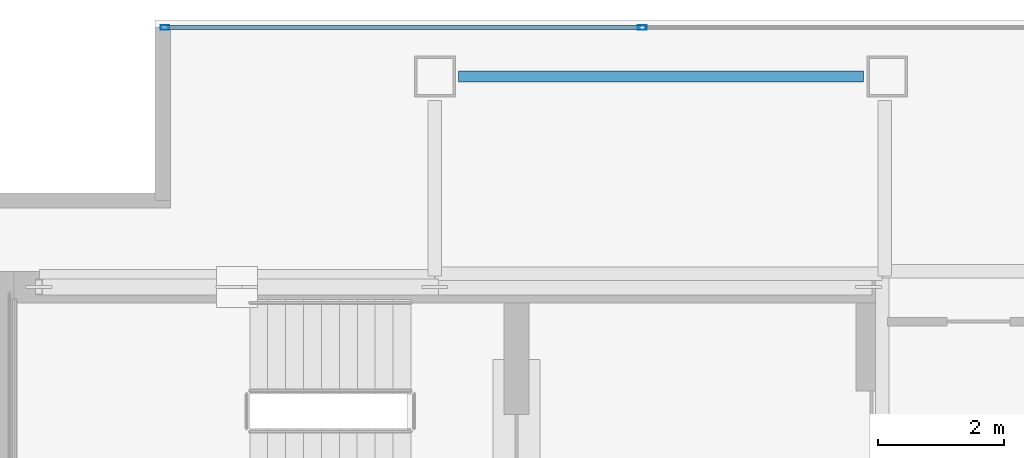
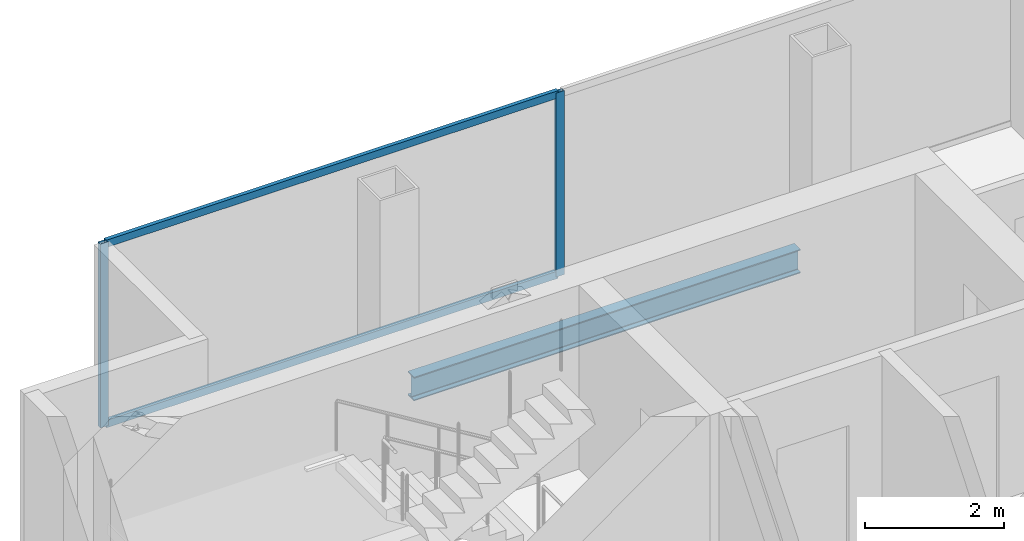
# One storey, part 18 of 24: 4 members, 1 beam, 1 element without a shape of its own.
"""IFC4 building model written with IfcOpenShell, lengths in metres."""

from ifc_helpers import new_model, si_unit, direction, frame, origin, origin_2d, place, context, subcontext, project, spatial, hollow_rectangle, i_section, extrude, material, material_profile, profile_set, type_object, element, aggregate, save


model = new_model("IFC4")

# Units and contexts
model_context = context("Model", 3, precision=1e-05, world=origin(), true_north=direction((0.0, 1.0)))
body_context = subcontext(model_context, "Body", "Model", "MODEL_VIEW")
ifc_project = project(units=[si_unit("LENGTHUNIT", "METRE"), si_unit("AREAUNIT", "SQUARE_METRE"), si_unit("VOLUMEUNIT", "CUBIC_METRE"), si_unit("PLANEANGLEUNIT", "RADIAN"), si_unit("MASSUNIT", "GRAM", prefix="KILO")], contexts=[model_context])

# Site, building, storey
site_placement = place(None, origin())
site = spatial("IfcSite", under=ifc_project, at=site_placement, CompositionType="ELEMENT")
building_placement = place(site_placement, origin())
building = spatial("IfcBuilding", under=site, at=building_placement, Name="Cobrela Telecom Tower", CompositionType="ELEMENT")
storey_placement = place(building_placement, frame((0.0, 0.0, 241.14990234375)))
storey = spatial("IfcBuildingStorey", under=building, at=storey_placement, Name="L62", CompositionType="ELEMENT", Elevation=241.14990234375)

# Beam
ifc_material_1 = material(Name="Steel ASTM A992 Grade 50", Category="steel")
ifc_material_profile_1 = material_profile(ifc_material_1, i_section(OverallWidth=0.179931640625, OverallDepth=0.4169921875, WebThickness=0.010986328125, FlangeThickness=0.01806640625, FilletRadius=0.011962890625, at=origin_2d()), Name="W16X57")
ifc_profile_set_1 = profile_set([ifc_material_profile_1], Name="Steel ASTM A992 Grade 50")
beam_type = type_object("IfcBeamType", Name="BM-SPAND-06", PredefinedType="SPANDREL", material=ifc_profile_set_1)
beam_placement = place(storey_placement, frame((7.580078125, 39.10009765625, -0.468505859375), z_axis=(1.0, 0.0, 0.0), x_axis=(0.0, 1.0, 0.0)))
element("IfcBeam", 1, at=beam_placement, inside=storey, type_object=beam_type, Name="L62 Perimeter Spandrel X17", PredefinedType="SPANDREL", context=body_context, shape_type="SweptSolid", body=[
    extrude(i_section(OverallWidth=0.179931640625, OverallDepth=0.4169921875, WebThickness=0.010986328125, FlangeThickness=0.01806640625, FilletRadius=0.011962890625, at=origin_2d()), origin(), (0.0, 0.0, 1.0), 6.43994140625),
])

# Curtain wall, members
ifc_material_2 = material(Name="Anodized Bronze Aluminium 6063-T6", Category="aluminium")
curtain_wall_type = type_object("IfcCurtainWallType", Name="CW-SYS-OFF-HI", PredefinedType="USERDEFINED", material=ifc_material_2)
curtain_wall_placement = place(storey_placement, origin())
curtain_wall = element("IfcCurtainWall", 2, at=curtain_wall_placement, inside=storey, type_object=curtain_wall_type, Name="L62 Unitised Bronze Curtain Wall 05", ObjectType="UNITISED CURTAIN WALL", PredefinedType="USERDEFINED")
ifc_material_profile_2 = material_profile(ifc_material_2, hollow_rectangle(XDim=0.070068359375, YDim=0.139892578125, WallThickness=0.00390625, at=origin_2d()), Name="ALU 70x140x4")
ifc_profile_set_2 = profile_set([ifc_material_profile_2], Name="Anodized Bronze Aluminium 6063-T6")
member_type_1 = type_object("IfcMemberType", Name="CW-SYS-OFF-HI-MUL", PredefinedType="MULLION", material=ifc_profile_set_2)
member_1_placement = place(storey_placement, frame((2.905029296875, 39.8798828125, 0.0), z_axis=(0.0, 0.0, 1.0), x_axis=(0.0, 1.0, 0.0)))
member_1 = element("IfcMember", 3, at=member_1_placement, type_object=member_type_1, Name="CW-OFF-HI mullion 1", PredefinedType="MULLION", context=body_context, shape_type="SweptSolid", body=[
    extrude(hollow_rectangle(XDim=0.070068359375, YDim=0.139892578125, WallThickness=0.00390625, at=origin_2d()), origin(), (0.0, 0.0, 1.0), 3.239990234375),
])
member_2_placement = place(storey_placement, frame((10.5, 39.8798828125, 0.0), z_axis=(0.0, 0.0, 1.0), x_axis=(0.0, 1.0, 0.0)))
member_2 = element("IfcMember", 4, at=member_2_placement, type_object=member_type_1, Name="CW-OFF-HI mullion 2", PredefinedType="MULLION", context=body_context, shape_type="SweptSolid", body=[
    extrude(hollow_rectangle(XDim=0.070068359375, YDim=0.139892578125, WallThickness=0.00390625, at=origin_2d()), origin(), (0.0, 0.0, 1.0), 3.239990234375),
])
ifc_material_profile_3 = material_profile(ifc_material_2, hollow_rectangle(XDim=0.06494140625, YDim=0.1298828125, WallThickness=0.00390625, at=origin_2d()), Name="ALU 65x130x4")
ifc_profile_set_3 = profile_set([ifc_material_profile_3], Name="Anodized Bronze Aluminium 6063-T6")
member_type_2 = type_object("IfcMemberType", Name="CW-SYS-OFF-HI-TRN", PredefinedType="USERDEFINED", material=ifc_profile_set_3)
member_3_placement = place(storey_placement, frame((2.93994140625, 39.8798828125, 0.03271484375), z_axis=(1.0, 0.0, 0.0), x_axis=(0.0, 1.0, 0.0)))
member_3 = element("IfcMember", 5, at=member_3_placement, type_object=member_type_2, Name="CW-OFF-HI transom 1.1", ObjectType="TRANSOM", PredefinedType="USERDEFINED", context=body_context, shape_type="SweptSolid", body=[
    extrude(hollow_rectangle(XDim=0.06494140625, YDim=0.1298828125, WallThickness=0.00390625, at=origin_2d()), origin(), (0.0, 0.0, 1.0), 7.525146484375),
])
member_4_placement = place(storey_placement, frame((2.93994140625, 39.8798828125, 3.20751953125), z_axis=(1.0, 0.0, 0.0), x_axis=(0.0, 1.0, 0.0)))
member_4 = element("IfcMember", 6, at=member_4_placement, type_object=member_type_2, Name="CW-OFF-HI transom 1.2", ObjectType="TRANSOM", PredefinedType="USERDEFINED", context=body_context, shape_type="SweptSolid", body=[
    extrude(hollow_rectangle(XDim=0.06494140625, YDim=0.1298828125, WallThickness=0.00390625, at=origin_2d()), origin(), (0.0, 0.0, 1.0), 7.525146484375),
])
aggregate(curtain_wall, [member_1, member_2, member_3, member_4])

save(model, "model.ifc")
